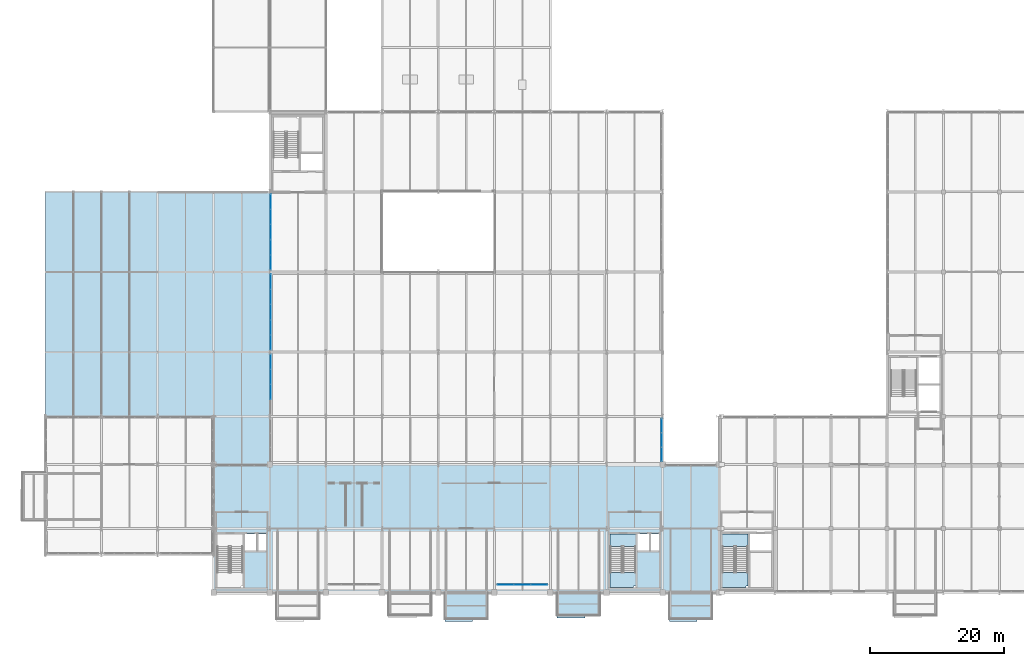
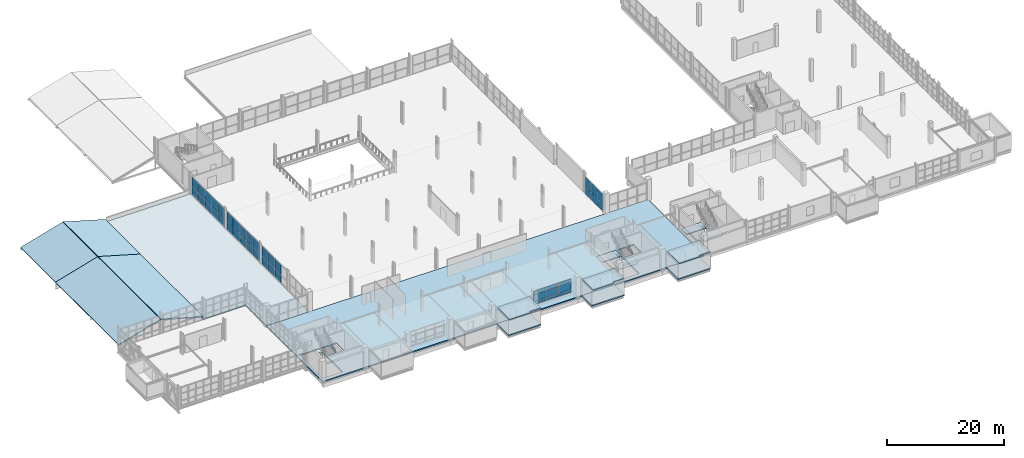
# One storey, part 107 of 130: 41 plates, 16 slabs, 7 elements without a shape of their own.
"""IFC4 building model written with IfcOpenShell, lengths in metres."""

import ifcopenshell
import ifcopenshell.guid

model = None  # the IFC model being written
_history = None  # IfcOwnerHistory: only IFC2X3 demands one
_inside = {}  # id of a spatial element -> (the spatial element, [elements in it])
_under = {}  # id of a project, library or spatial element -> (it, [spatial elements below it])
_declared = {}  # id of a project -> (the project, [libraries it declares])
_typed = {}  # id of a type object -> (the type object, [elements of that type])
_made_of = {}  # id of a material, layer set ... -> (it, [elements and type objects made of it])


def new_model(schema):
    """Start an empty IFC model of exactly this schema.

    Asked for "IFC4X3", IfcOpenShell would pick the latest addendum, in which some entities
    have other attributes; the version numbers below select the first issue.
    IFC2X3 requires an IfcOwnerHistory on every rooted entity: one is made here for all.
    """
    global model, _history
    if schema == "IFC4X3":
        model = ifcopenshell.file(schema_version=(4, 3, 0, 0))
    else:
        model = ifcopenshell.file(schema=schema)
    _inside.clear()
    _under.clear()
    _declared.clear()
    _typed.clear()
    _made_of.clear()
    _history = None
    if model.schema == "IFC2X3":
        org = make("IfcOrganization", Name="unknown")
        user = make(
            "IfcPersonAndOrganization",
            ThePerson=make("IfcPerson", FamilyName="unknown"),
            TheOrganization=org,
        )
        app = make(
            "IfcApplication",
            ApplicationDeveloper=org,
            Version="unknown",
            ApplicationFullName="unknown",
            ApplicationIdentifier="unknown",
        )
        _history = make(
            "IfcOwnerHistory",
            OwningUser=user,
            OwningApplication=app,
            ChangeAction="ADDED",
            CreationDate=0,
        )
    return model


def make(cls, **values):
    """One entity of the class cls with the attributes given. An attribute that is None is left unset."""
    return model.create_entity(
        cls, **{name: value for name, value in values.items() if value is not None}
    )


def rooted(cls, **values):
    """An entity with a GlobalId (a new one), such as an element, a storey or a relation."""
    return make(cls, GlobalId=ifcopenshell.guid.new(), OwnerHistory=_history, **values)


def si_unit(unit_type, name, prefix=None):
    """IfcSIUnit, for example si_unit("LENGTHUNIT", "METRE", prefix="MILLI")."""
    return make("IfcSIUnit", UnitType=unit_type, Prefix=prefix, Name=name)


def assignment(units):
    """IfcUnitAssignment: the units of a project."""
    return None if units is None else make("IfcUnitAssignment", Units=units)


def point(xyz):
    """IfcCartesianPoint."""
    return None if xyz is None else make("IfcCartesianPoint", Coordinates=xyz)


def direction(xyz):
    """IfcDirection."""
    return None if xyz is None else make("IfcDirection", DirectionRatios=xyz)


def frame(location, z_axis=None, x_axis=None):
    """IfcAxis2Placement3D, a coordinate frame: its origin and axes. An axis left out is left unset."""
    return make(
        "IfcAxis2Placement3D",
        Location=point(location),
        Axis=direction(z_axis),
        RefDirection=direction(x_axis),
    )


def frame_2d(location, x_axis=None):
    """IfcAxis2Placement2D, a coordinate frame in the plane: its origin and x axis."""
    return make(
        "IfcAxis2Placement2D", Location=point(location), RefDirection=direction(x_axis)
    )


def origin():
    """The frame at (0, 0, 0) with its axes left unset."""
    return frame((0.0, 0.0, 0.0))


def origin_2d():
    """The frame at (0, 0) in the plane with its x axis left unset."""
    return frame_2d((0.0, 0.0))


def place(relative_to, where):
    """IfcLocalPlacement: puts the frame where relative to a parent placement (None: the world)."""
    return make(
        "IfcLocalPlacement", PlacementRelTo=relative_to, RelativePlacement=where
    )


def context(
    kind, dimensions, precision=None, world=None, true_north=None, identifier=None
):
    """IfcGeometricRepresentationContext, for example the 3D "Model" context."""
    return make(
        "IfcGeometricRepresentationContext",
        ContextIdentifier=identifier,
        ContextType=kind,
        CoordinateSpaceDimension=dimensions,
        Precision=precision,
        WorldCoordinateSystem=world,
        TrueNorth=true_north,
    )


def subcontext(parent, identifier, kind, view, scale=None):
    """IfcGeometricRepresentationSubContext, for example "Body" below "Model"."""
    return make(
        "IfcGeometricRepresentationSubContext",
        ContextIdentifier=identifier,
        ContextType=kind,
        ParentContext=parent,
        TargetScale=scale,
        TargetView=view,
    )


def project(units=None, contexts=None):
    """IfcProject with its units and contexts."""
    return rooted(
        "IfcProject",
        Name="project",
        RepresentationContexts=contexts,
        UnitsInContext=assignment(units),
    )


def spatial(cls, under=None, at=None, **own):
    """A site, building, storey or space (cls), placed at a placement, below another one or the project."""
    s = rooted(cls, ObjectPlacement=at, **own)
    if under is not None:
        _under.setdefault(under.id(), (under, []))[1].append(s)
    return s


def polyline(points):
    """IfcPolyline through the points."""
    return make("IfcPolyline", Points=[point(p) for p in points])


def profile(cls, at=None, kind="AREA", **sizes):
    """A parametric profile (cls). Its sizes go by their IFC names, for example OverallWidth=200.0."""
    return make(cls, ProfileType=kind, Position=at, **sizes)


def rectangle(**sizes):
    """IfcRectangleProfileDef."""
    return profile("IfcRectangleProfileDef", **sizes)


def outline(outer, holes=None, kind="AREA"):
    """IfcArbitraryClosedProfileDef: a profile drawn as a closed curve; with holes, ...WithVoids."""
    if holes is None:
        return make("IfcArbitraryClosedProfileDef", ProfileType=kind, OuterCurve=outer)
    return make(
        "IfcArbitraryProfileDefWithVoids",
        ProfileType=kind,
        OuterCurve=outer,
        InnerCurves=holes,
    )


def extrude(swept, where, along, depth):
    """IfcExtrudedAreaSolid: the profile swept, set in the frame where, extruded along a direction by depth."""
    return make(
        "IfcExtrudedAreaSolid",
        SweptArea=swept,
        Position=where,
        ExtrudedDirection=direction(along),
        Depth=depth,
    )


def shape(context_of_items, identifier, shape_type, items):
    """IfcShapeRepresentation: the items that make up one representation, for example the "Body"."""
    return make(
        "IfcShapeRepresentation",
        ContextOfItems=context_of_items,
        RepresentationIdentifier=identifier,
        RepresentationType=shape_type,
        Items=items,
    )


def material(Name=None, Category=None):
    """IfcMaterial."""
    return make("IfcMaterial", Name=Name, Category=Category)


def layer(
    of_material, thickness, ventilated=None, Name=None, Category=None, Priority=None
):
    """IfcMaterialLayer: one layer of a wall or slab, of a material (None: an air gap)."""
    return make(
        "IfcMaterialLayer",
        Material=of_material,
        LayerThickness=thickness,
        IsVentilated=ventilated,
        Name=Name,
        Category=Category,
        Priority=Priority,
    )


def layer_set(layers, Name=None):
    """IfcMaterialLayerSet."""
    return make("IfcMaterialLayerSet", MaterialLayers=layers, LayerSetName=Name)


def made_of(thing, what):
    """Note that an element or type object is made of a material, layer set ...; save() writes the relation."""
    if what is not None:
        _made_of.setdefault(what.id(), (what, []))[1].append(thing)
    return thing


def type_object(cls, material=None, **own):
    """A type object (cls), such as IfcWallType, which elements share."""
    return made_of(rooted(cls, **own), material)


def element(
    cls,
    number,
    at=None,
    inside=None,
    cuts=None,
    type_object=None,
    material=None,
    context=None,
    identifier="Body",
    shape_type=None,
    held_by="IfcProductDefinitionShape",
    body=None,
    shapes=None,
    **own,
):
    """One element of the class cls, such as IfcWall. Its Tag is "e" and its number.

    at: its placement. inside: the storey or other place that contains it. cuts: it is an
    opening in that element (IfcRelVoidsElement). A single representation is given by context,
    identifier, shape_type and body (its items); several are given by shapes. held_by: the class
    of the entity that holds the representations. save() writes the other relations.
    """
    e = rooted(cls, Tag="e%d" % number, ObjectPlacement=at, **own)
    if body is not None:
        shapes = [shape(context, identifier, shape_type, body)]
    if shapes is not None:
        e.Representation = make(held_by, Representations=shapes)
    if inside is not None:
        _inside.setdefault(inside.id(), (inside, []))[1].append(e)
    if cuts is not None:
        rooted(
            "IfcRelVoidsElement", RelatingBuildingElement=cuts, RelatedOpeningElement=e
        )
    if type_object is not None:
        _typed.setdefault(type_object.id(), (type_object, []))[1].append(e)
    return made_of(e, material)


def aggregate(whole, parts):
    """IfcRelAggregates: a whole, such as a stair, and the parts it consists of."""
    return rooted("IfcRelAggregates", RelatingObject=whole, RelatedObjects=parts)


def save(model, path):
    """Write the relations noted so far, then the file.

    IfcRelAggregates (storeys below a building ...), IfcRelContainedInSpatialStructure (elements
    in a storey), IfcRelDefinesByType, IfcRelAssociatesMaterial and IfcRelDeclares: one each for
    every whole, place, type object, material and project.
    """
    for whole, parts in _under.values():
        aggregate(whole, parts)
    for where, things in _inside.values():
        rooted(
            "IfcRelContainedInSpatialStructure",
            RelatedElements=things,
            RelatingStructure=where,
        )
    for kind, things in _typed.values():
        rooted("IfcRelDefinesByType", RelatedObjects=things, RelatingType=kind)
    for what, things in _made_of.values():
        rooted("IfcRelAssociatesMaterial", RelatedObjects=things, RelatingMaterial=what)
    for by, libraries in _declared.values():
        rooted("IfcRelDeclares", RelatingContext=by, RelatedDefinitions=libraries)
    model.write(path)


model = new_model("IFC4")

# Units and contexts
model_context = context("Model", 3, precision=1e-05, world=origin(), true_north=direction((0.0, 1.0)))
body_context = subcontext(model_context, "Body", "Model", "MODEL_VIEW")
ifc_project = project(units=[si_unit("LENGTHUNIT", "METRE"), si_unit("AREAUNIT", "SQUARE_METRE"), si_unit("VOLUMEUNIT", "CUBIC_METRE"), si_unit("PLANEANGLEUNIT", "RADIAN"), si_unit("MASSUNIT", "GRAM", prefix="KILO")], contexts=[model_context])

# Site, building, storey
site_placement = place(None, origin())
site = spatial("IfcSite", under=ifc_project, at=site_placement, CompositionType="ELEMENT")
building_placement = place(site_placement, origin())
building = spatial("IfcBuilding", under=site, at=building_placement, Name="Veltarok Museum of Natural Sciences", CompositionType="ELEMENT")
storey_placement = place(building_placement, frame((0.0, 0.0, 12.89990234375)))
storey = spatial("IfcBuildingStorey", under=building, at=storey_placement, Name="L02", CompositionType="ELEMENT", Elevation=12.89990234375)

# Slabs
ifc_material_1 = material(Name="Precast concrete C40/50", Category="concrete")
ifc_layer_1 = layer(ifc_material_1, 0.219970703125)
ifc_layer_set_1 = layer_set([ifc_layer_1], Name="Precast concrete C40/50")
slab_type_1 = type_object("IfcSlabType", Name="Auditorium Folded Sloped Roof Deck 220", PredefinedType="ROOF", material=ifc_layer_set_1)
slab_1_placement = place(storey_placement, frame((6.39990234375, 26.39990234375, 0.5), z_axis=(-0.277377134951, 0.0, 0.960761117555), x_axis=(0.960761117555, 0.0, 0.277377134951)))
element("IfcSlab", 1, at=slab_1_placement, inside=storey, type_object=slab_type_1, Name="Auditorium Folded Roof Slab 1", PredefinedType="ROOF", context=body_context, shape_type="SweptSolid", body=[
    extrude(outline(polyline([(0.0, 0.0), (8.689094904767316, 0.0), (8.689094904767316, 21.60009765625), (0.0, 21.60009765625), (0.0, 0.0)])), origin(), (0.0, 0.0, -1.0), 0.219970703125),
])
slab_2_placement = place(storey_placement, frame((14.85205078125, 26.39990234375, 2.91015625), z_axis=(0.277384622899, 0.0, 0.960758955711), x_axis=(0.960758955711, 0.0, -0.277384622899)))
element("IfcSlab", 2, at=slab_2_placement, inside=storey, type_object=slab_type_1, Name="Auditorium Folded Roof Slab 2", PredefinedType="ROOF", context=body_context, shape_type="SweptSolid", body=[
    extrude(outline(polyline([(0.0, 0.0), (8.688860344211495, 0.0), (8.688860344211495, 21.60009765625), (0.0, 21.60009765625), (0.0, 0.0)])), origin(), (0.0, 0.0, -1.0), 0.219970703125),
])
slab_3_placement = place(storey_placement, frame((6.39990234375, 48.0, 0.5), z_axis=(-0.277377134951, 0.0, 0.960761117555), x_axis=(0.960761117555, 0.0, 0.277377134951)))
element("IfcSlab", 3, at=slab_3_placement, inside=storey, type_object=slab_type_1, Name="Auditorium Folded Roof Slab 3", PredefinedType="ROOF", context=body_context, shape_type="SweptSolid", body=[
    extrude(outline(polyline([(0.0, 0.0), (8.689094904767316, 0.0), (8.689094904767316, 12.0), (0.0, 12.0), (0.0, 0.0)])), origin(), (0.0, 0.0, -1.0), 0.219970703125),
])
slab_4_placement = place(storey_placement, frame((14.85205078125, 48.0, 2.91015625), z_axis=(0.277384622899, 0.0, 0.960758955711), x_axis=(0.960758955711, 0.0, -0.277384622899)))
element("IfcSlab", 4, at=slab_4_placement, inside=storey, type_object=slab_type_1, Name="Auditorium Folded Roof Slab 4", PredefinedType="ROOF", context=body_context, shape_type="SweptSolid", body=[
    extrude(outline(polyline([(0.0, 0.0), (8.688860344211495, 0.0), (8.688860344211495, 12.0), (0.0, 12.0), (0.0, 0.0)])), origin(), (0.0, 0.0, -1.0), 0.219970703125),
])
ifc_material_2 = material(Name="Concrete C35/45", Category="concrete")
ifc_layer_2 = layer(ifc_material_2, 0.199951171875)
ifc_layer_set_2 = layer_set([ifc_layer_2], Name="Concrete C35/45")
slab_type_2 = type_object("IfcSlabType", Name="Cantilevered Cabinet Box Roof Slab 200", PredefinedType="ROOF", material=ifc_layer_set_2)
slab_5_placement = place(storey_placement, frame((0.0, 0.0, 3.25)))
element("IfcSlab", 5, at=slab_5_placement, inside=storey, type_object=slab_type_2, Name="Cabinet Box Roof Slab DB-09", PredefinedType="ROOF", context=body_context, shape_type="SweptSolid", body=[
    extrude(outline(polyline([(66.199951171875, -4.280029296875), (70.360107421875, -4.280029296875), (70.360107421875, -3.89990234375), (72.60009765625, -3.89990234375), (72.60009765625, 0.0), (66.199951171875, 0.0), (66.199951171875, -4.280029296875)])), origin(), (0.0, 0.0, 1.0), 0.2001953125),
])
slab_6_placement = place(storey_placement, frame((0.0, 0.0, 3.25)))
element("IfcSlab", 6, at=slab_6_placement, inside=storey, type_object=slab_type_2, Name="Cabinet Box Roof Slab DB-10", PredefinedType="ROOF", context=body_context, shape_type="SweptSolid", body=[
    extrude(outline(polyline([(83.0, -3.780029296875), (87.159912109375, -3.780029296875), (87.159912109375, -3.39990234375), (89.39990234375, -3.39990234375), (89.39990234375, 0.0), (83.0, 0.0), (83.0, -3.780029296875)])), origin(), (0.0, 0.0, 1.0), 0.2001953125),
])
slab_7_placement = place(storey_placement, frame((0.0, 0.0, 3.25)))
element("IfcSlab", 7, at=slab_7_placement, inside=storey, type_object=slab_type_2, Name="Cabinet Box Roof Slab DB-11", PredefinedType="ROOF", context=body_context, shape_type="SweptSolid", body=[
    extrude(outline(polyline([(99.800048828125, -4.280029296875), (103.9599609375, -4.280029296875), (103.9599609375, -3.89990234375), (106.199951171875, -3.89990234375), (106.199951171875, 0.0), (99.800048828125, 0.0), (99.800048828125, -4.280029296875)])), origin(), (0.0, 0.0, 1.0), 0.2001953125),
])
ifc_layer_3 = layer(ifc_material_2, 0.239990234375)
ifc_layer_set_3 = layer_set([ifc_layer_3], Name="Concrete C35/45")
slab_type_3 = type_object("IfcSlabType", Name="Insulated Flat Wing Roof Slab 240", PredefinedType="ROOF", material=ifc_layer_set_3)
slab_8_placement = place(storey_placement, frame((0.0, 0.0, -0.239990234375)))
element("IfcSlab", 8, at=slab_8_placement, inside=storey, type_object=slab_type_3, Name="Flat Wing Roof Slab RF-V6C", PredefinedType="ROOF", context=body_context, shape_type="SweptSolid", body=[
    extrude(outline(polyline([(39.97998046875, 60.0), (39.97998046875, 19.199951171875), (31.6201171875, 19.199951171875), (31.6201171875, 26.419921875), (23.199951171875, 26.419921875), (23.199951171875, 60.0), (39.97998046875, 60.0)])), origin(), (0.0, 0.0, 1.0), 0.239990234375),
])
ifc_layer_4 = layer(ifc_material_2, 0.199951171875)
ifc_layer_set_4 = layer_set([ifc_layer_4], Name="Concrete C35/45")
slab_type_4 = type_object("IfcSlabType", Name="Protected Stair Intermediate Landing Slab 200", PredefinedType="LANDING", material=ifc_layer_set_4)
slab_9_placement = place(storey_placement, frame((0.0, 0.0, -0.199951171875)))
element("IfcSlab", 9, at=slab_9_placement, inside=storey, type_object=slab_type_4, Name="Stairwell Floor Landing ST-02 L02", PredefinedType="LANDING", context=body_context, shape_type="SweptSolid", body=[
    extrude(outline(polyline([(90.909912109375, 6.89990234375), (94.7900390625, 6.89990234375), (94.7900390625, 8.820068359375), (90.909912109375, 8.820068359375), (90.909912109375, 6.89990234375)])), origin(), (0.0, 0.0, 1.0), 0.199951171875),
])

# Stair, slab
stair_type = type_object("IfcStairType", Name="Protected Half-Turn Escape Stair H4500", PredefinedType="HALF_TURN_STAIR", material=ifc_material_1)
stair_1_placement = place(storey_placement, origin())
stair_1 = element("IfcStair", 10, at=stair_1_placement, inside=storey, type_object=stair_type, Name="Protected Escape Stair ST-02-L02", PredefinedType="HALF_TURN_STAIR")
slab_10_placement = place(storey_placement, frame((0.0, 0.0, 2.050048828125)))
slab_10 = element("IfcSlab", 11, at=slab_10_placement, type_object=slab_type_4, Name="ST-02-L02 landing 1", PredefinedType="LANDING", context=body_context, shape_type="SweptSolid", body=[
    extrude(outline(polyline([(90.909912109375, 0.780029296875), (94.469970703125, 0.780029296875), (94.469970703125, 1.02001953125), (94.7900390625, 1.02001953125), (94.7900390625, 3.0), (90.909912109375, 3.0), (90.909912109375, 0.780029296875)])), origin(), (0.0, 0.0, 1.0), 0.199951171875),
])
aggregate(stair_1, [slab_10])

# Slab
slab_11_placement = place(storey_placement, frame((0.0, 0.0, -0.199951171875)))
element("IfcSlab", 12, at=slab_11_placement, inside=storey, type_object=slab_type_4, Name="Stairwell Floor Landing ST-04 L02", PredefinedType="LANDING", context=body_context, shape_type="SweptSolid", body=[
    extrude(outline(polyline([(107.7099609375, 6.89990234375), (111.590087890625, 6.89990234375), (111.590087890625, 8.820068359375), (107.7099609375, 8.820068359375), (107.7099609375, 6.89990234375)])), origin(), (0.0, 0.0, 1.0), 0.199951171875),
])

# Stair, slab
stair_2_placement = place(storey_placement, origin())
stair_2 = element("IfcStair", 13, at=stair_2_placement, inside=storey, type_object=stair_type, Name="Protected Escape Stair ST-04-L02", PredefinedType="HALF_TURN_STAIR")
slab_12_placement = place(storey_placement, frame((0.0, 0.0, 2.050048828125)))
slab_12 = element("IfcSlab", 14, at=slab_12_placement, type_object=slab_type_4, Name="ST-04-L02 landing 1", PredefinedType="LANDING", context=body_context, shape_type="SweptSolid", body=[
    extrude(outline(polyline([(107.7099609375, 0.780029296875), (111.27001953125, 0.780029296875), (111.27001953125, 1.02001953125), (111.590087890625, 1.02001953125), (111.590087890625, 3.0), (107.7099609375, 3.0), (107.7099609375, 0.780029296875)])), origin(), (0.0, 0.0, 1.0), 0.199951171875),
])
aggregate(stair_2, [slab_12])

# Slabs
ifc_layer_5 = layer(ifc_material_2, 0.25)
ifc_layer_set_5 = layer_set([ifc_layer_5], Name="Concrete C35/45")
slab_type_5 = type_object("IfcSlabType", Name="Suspended Museum Floor Slab 250", PredefinedType="FLOOR", material=ifc_layer_set_5)
slab_13_placement = place(storey_placement, frame((0.0, 0.0, -0.25)))
element("IfcSlab", 15, at=slab_13_placement, inside=storey, type_object=slab_type_5, Name="Floor Slab L02 V1", PredefinedType="FLOOR", context=body_context, shape_type="SweptSolid", body=[
    extrude(outline(polyline([(31.60009765625, 0.0), (31.60009765625, 19.199951171875), (107.175048828125, 19.199951171875), (107.175048828125, 0.0), (31.60009765625, 0.0)]), holes=[polyline([(32.1298828125, 8.800048828125), (32.1298828125, 0.800048828125), (35.969970703125, 0.800048828125), (35.969970703125, 8.800048828125), (32.1298828125, 8.800048828125)]), polyline([(94.77001953125, 8.800048828125), (90.929931640625, 8.800048828125), (90.929931640625, 0.800048828125), (94.77001953125, 0.800048828125), (94.77001953125, 8.800048828125)]), polyline([(37.989990234375, 8.800048828125), (36.27001953125, 8.800048828125), (36.27001953125, 6.300048828125), (37.989990234375, 6.300048828125), (37.989990234375, 8.800048828125)]), polyline([(39.469970703125, 8.800048828125), (38.239990234375, 8.800048828125), (38.239990234375, 6.300048828125), (39.469970703125, 6.300048828125), (39.469970703125, 8.800048828125)]), polyline([(96.7900390625, 8.800048828125), (95.070068359375, 8.800048828125), (95.070068359375, 6.300048828125), (96.7900390625, 6.300048828125), (96.7900390625, 8.800048828125)]), polyline([(98.27001953125, 8.800048828125), (97.0400390625, 8.800048828125), (97.0400390625, 6.300048828125), (98.27001953125, 6.300048828125), (98.27001953125, 8.800048828125)])]), origin(), (0.0, 0.0, 1.0), 0.25),
])
slab_14_placement = place(storey_placement, frame((0.0, 0.0, -0.25)))
element("IfcSlab", 16, at=slab_14_placement, inside=storey, type_object=slab_type_5, Name="Cabinet Box Floor Slab DB-09", PredefinedType="FLOOR", context=body_context, shape_type="SweptSolid", body=[
    extrude(outline(polyline([(66.199951171875, -3.89990234375), (72.60009765625, -3.89990234375), (72.60009765625, 0.0), (66.199951171875, 0.0), (66.199951171875, -3.89990234375)])), origin(), (0.0, 0.0, 1.0), 0.25),
])
slab_15_placement = place(storey_placement, frame((0.0, 0.0, -0.25)))
element("IfcSlab", 17, at=slab_15_placement, inside=storey, type_object=slab_type_5, Name="Cabinet Box Floor Slab DB-10", PredefinedType="FLOOR", context=body_context, shape_type="SweptSolid", body=[
    extrude(outline(polyline([(83.0, -3.39990234375), (89.39990234375, -3.39990234375), (89.39990234375, 0.0), (83.0, 0.0), (83.0, -3.39990234375)])), origin(), (0.0, 0.0, 1.0), 0.25),
])
slab_16_placement = place(storey_placement, frame((0.0, 0.0, -0.25)))
element("IfcSlab", 18, at=slab_16_placement, inside=storey, type_object=slab_type_5, Name="Cabinet Box Floor Slab DB-11", PredefinedType="FLOOR", context=body_context, shape_type="SweptSolid", body=[
    extrude(outline(polyline([(99.800048828125, -3.89990234375), (106.199951171875, -3.89990234375), (106.199951171875, 0.0), (99.800048828125, 0.0), (99.800048828125, -3.89990234375)])), origin(), (0.0, 0.0, 1.0), 0.25),
])

# Curtain wall, plates
ifc_material_3 = material(Name="Low-iron triple insulated glass", Category="glass")
curtain_wall_type_1 = type_object("IfcCurtainWallType", Name="Curtain Wall System CW-CAB-L02-B-755x293 (V1 Recessed L02 755x293cm)", PredefinedType="NOTDEFINED", material=ifc_material_3)
curtain_wall_1_placement = place(storey_placement, origin())
curtain_wall_1 = element("IfcCurtainWall", 19, at=curtain_wall_1_placement, inside=storey, type_object=curtain_wall_type_1, Name="Curtain Wall CW-CAB-L02-B-755x293 CW-0004", PredefinedType="NOTDEFINED")
ifc_layer_6 = layer(ifc_material_3, 0.028076171875)
ifc_layer_set_6 = layer_set([ifc_layer_6], Name="Low-iron triple insulated glass")
plate_type = type_object("IfcPlateType", Name="Triple Low-Iron Glazed Vision Panel 28", PredefinedType="CURTAIN_PANEL", material=ifc_layer_set_6)
plate_1_placement = place(storey_placement, frame((75.29833984375, 1.199951171875, 0.4599609375), z_axis=(0.0, 0.0, 1.0), x_axis=(1.0, 0.0, 0.0)))
plate_1 = element("IfcPlate", 20, at=plate_1_placement, type_object=plate_type, Name="CW-CAB-L02-B-755x293 panel 1.1", PredefinedType="CURTAIN_PANEL", context=body_context, shape_type="SweptSolid", body=[
    extrude(rectangle(XDim=2.4267578125, YDim=0.028076171875, at=origin_2d()), origin(), (0.0, 0.0, 1.0), 0.610107421875),
])
plate_2_placement = place(storey_placement, frame((75.29833984375, 1.199951171875, 1.130126953125), z_axis=(0.0, 0.0, 1.0), x_axis=(1.0, 0.0, 0.0)))
plate_2 = element("IfcPlate", 21, at=plate_2_placement, type_object=plate_type, Name="CW-CAB-L02-B-755x293 panel 1.2", PredefinedType="CURTAIN_PANEL", context=body_context, shape_type="SweptSolid", body=[
    extrude(rectangle(XDim=2.4267578125, YDim=0.028076171875, at=origin_2d()), origin(), (0.0, 0.0, 1.0), 1.2900390625),
])
plate_3_placement = place(storey_placement, frame((75.29833984375, 1.199951171875, 2.480224609375), z_axis=(0.0, 0.0, 1.0), x_axis=(1.0, 0.0, 0.0)))
plate_3 = element("IfcPlate", 22, at=plate_3_placement, type_object=plate_type, Name="CW-CAB-L02-B-755x293 panel 1.3", PredefinedType="CURTAIN_PANEL", context=body_context, shape_type="SweptSolid", body=[
    extrude(rectangle(XDim=2.4267578125, YDim=0.028076171875, at=origin_2d()), origin(), (0.0, 0.0, 1.0), 0.794921875),
])
plate_4_placement = place(storey_placement, frame((77.800048828125, 1.199951171875, 0.4599609375), z_axis=(0.0, 0.0, 1.0), x_axis=(1.0, 0.0, 0.0)))
plate_4 = element("IfcPlate", 23, at=plate_4_placement, type_object=plate_type, Name="CW-CAB-L02-B-755x293 panel 2.1", PredefinedType="CURTAIN_PANEL", context=body_context, shape_type="SweptSolid", body=[
    extrude(rectangle(XDim=2.456787109375, YDim=0.028076171875, at=origin_2d()), origin(), (0.0, 0.0, 1.0), 0.610107421875),
])
plate_5_placement = place(storey_placement, frame((77.800048828125, 1.199951171875, 1.130126953125), z_axis=(0.0, 0.0, 1.0), x_axis=(1.0, 0.0, 0.0)))
plate_5 = element("IfcPlate", 24, at=plate_5_placement, type_object=plate_type, Name="CW-CAB-L02-B-755x293 panel 2.2", PredefinedType="CURTAIN_PANEL", context=body_context, shape_type="SweptSolid", body=[
    extrude(rectangle(XDim=2.456787109375, YDim=0.028076171875, at=origin_2d()), origin(), (0.0, 0.0, 1.0), 1.2900390625),
])
plate_6_placement = place(storey_placement, frame((77.800048828125, 1.199951171875, 2.480224609375), z_axis=(0.0, 0.0, 1.0), x_axis=(1.0, 0.0, 0.0)))
plate_6 = element("IfcPlate", 25, at=plate_6_placement, type_object=plate_type, Name="CW-CAB-L02-B-755x293 panel 2.3", PredefinedType="CURTAIN_PANEL", context=body_context, shape_type="SweptSolid", body=[
    extrude(rectangle(XDim=2.456787109375, YDim=0.028076171875, at=origin_2d()), origin(), (0.0, 0.0, 1.0), 0.794921875),
])
plate_7_placement = place(storey_placement, frame((80.3017578125, 1.199951171875, 0.4599609375), z_axis=(0.0, 0.0, 1.0), x_axis=(1.0, 0.0, 0.0)))
plate_7 = element("IfcPlate", 26, at=plate_7_placement, type_object=plate_type, Name="CW-CAB-L02-B-755x293 panel 3.1", PredefinedType="CURTAIN_PANEL", context=body_context, shape_type="SweptSolid", body=[
    extrude(rectangle(XDim=2.4267578125, YDim=0.028076171875, at=origin_2d()), origin(), (0.0, 0.0, 1.0), 0.610107421875),
])
plate_8_placement = place(storey_placement, frame((80.3017578125, 1.199951171875, 1.130126953125), z_axis=(0.0, 0.0, 1.0), x_axis=(1.0, 0.0, 0.0)))
plate_8 = element("IfcPlate", 27, at=plate_8_placement, type_object=plate_type, Name="CW-CAB-L02-B-755x293 panel 3.2", PredefinedType="CURTAIN_PANEL", context=body_context, shape_type="SweptSolid", body=[
    extrude(rectangle(XDim=2.4267578125, YDim=0.028076171875, at=origin_2d()), origin(), (0.0, 0.0, 1.0), 1.2900390625),
])
plate_9_placement = place(storey_placement, frame((80.3017578125, 1.199951171875, 2.480224609375), z_axis=(0.0, 0.0, 1.0), x_axis=(1.0, 0.0, 0.0)))
plate_9 = element("IfcPlate", 28, at=plate_9_placement, type_object=plate_type, Name="CW-CAB-L02-B-755x293 panel 3.3", PredefinedType="CURTAIN_PANEL", context=body_context, shape_type="SweptSolid", body=[
    extrude(rectangle(XDim=2.4267578125, YDim=0.028076171875, at=origin_2d()), origin(), (0.0, 0.0, 1.0), 0.794921875),
])
aggregate(curtain_wall_1, [plate_1, plate_2, plate_3, plate_4, plate_5, plate_6, plate_7, plate_8, plate_9])

curtain_wall_type_2 = type_object("IfcCurtainWallType", Name="Curtain Wall System CW-V2E-L02-3-645x373 (CW-V2E L02 645x373cm)", PredefinedType="NOTDEFINED", material=ifc_material_3)
curtain_wall_2_placement = place(storey_placement, origin())
curtain_wall_2 = element("IfcCurtainWall", 29, at=curtain_wall_2_placement, inside=storey, type_object=curtain_wall_type_2, Name="Curtain Wall CW-V2E-L02-3-645x373 CW-0131", PredefinedType="NOTDEFINED")
plate_10_placement = place(storey_placement, frame((98.64990234375, 20.739990234375, 0.05810546875), z_axis=(0.0, 0.0, 1.0), x_axis=(0.0, 1.0, 0.0)))
plate_10 = element("IfcPlate", 30, at=plate_10_placement, type_object=plate_type, Name="CW-V2E-L02-3-645x373 panel 1.1", PredefinedType="CURTAIN_PANEL", context=body_context, shape_type="SweptSolid", body=[
    extrude(rectangle(XDim=2.06005859375, YDim=0.028076171875, at=origin_2d()), origin(), (0.0, 0.0, 1.0), 1.56005859375),
])
plate_11_placement = place(storey_placement, frame((98.64990234375, 20.739990234375, 1.67822265625), z_axis=(0.0, 0.0, 1.0), x_axis=(0.0, 1.0, 0.0)))
plate_11 = element("IfcPlate", 31, at=plate_11_placement, type_object=plate_type, Name="CW-V2E-L02-3-645x373 panel 1.2", PredefinedType="CURTAIN_PANEL", context=body_context, shape_type="SweptSolid", body=[
    extrude(rectangle(XDim=2.06005859375, YDim=0.028076171875, at=origin_2d()), origin(), (0.0, 0.0, 1.0), 1.991943359375),
])
plate_12_placement = place(storey_placement, frame((98.64990234375, 22.875, 0.05810546875), z_axis=(0.0, 0.0, 1.0), x_axis=(0.0, 1.0, 0.0)))
plate_12 = element("IfcPlate", 32, at=plate_12_placement, type_object=plate_type, Name="CW-V2E-L02-3-645x373 panel 2.1", PredefinedType="CURTAIN_PANEL", context=body_context, shape_type="SweptSolid", body=[
    extrude(rectangle(XDim=2.090087890625, YDim=0.028076171875, at=origin_2d()), origin(), (0.0, 0.0, 1.0), 1.56005859375),
])
plate_13_placement = place(storey_placement, frame((98.64990234375, 22.875, 1.67822265625), z_axis=(0.0, 0.0, 1.0), x_axis=(0.0, 1.0, 0.0)))
plate_13 = element("IfcPlate", 33, at=plate_13_placement, type_object=plate_type, Name="CW-V2E-L02-3-645x373 panel 2.2", PredefinedType="CURTAIN_PANEL", context=body_context, shape_type="SweptSolid", body=[
    extrude(rectangle(XDim=2.090087890625, YDim=0.028076171875, at=origin_2d()), origin(), (0.0, 0.0, 1.0), 1.991943359375),
])
plate_14_placement = place(storey_placement, frame((98.64990234375, 25.010009765625, 0.05810546875), z_axis=(0.0, 0.0, 1.0), x_axis=(0.0, 1.0, 0.0)))
plate_14 = element("IfcPlate", 34, at=plate_14_placement, type_object=plate_type, Name="CW-V2E-L02-3-645x373 panel 3.1", PredefinedType="CURTAIN_PANEL", context=body_context, shape_type="SweptSolid", body=[
    extrude(rectangle(XDim=2.06005859375, YDim=0.028076171875, at=origin_2d()), origin(), (0.0, 0.0, 1.0), 1.56005859375),
])
plate_15_placement = place(storey_placement, frame((98.64990234375, 25.010009765625, 1.67822265625), z_axis=(0.0, 0.0, 1.0), x_axis=(0.0, 1.0, 0.0)))
plate_15 = element("IfcPlate", 35, at=plate_15_placement, type_object=plate_type, Name="CW-V2E-L02-3-645x373 panel 3.2", PredefinedType="CURTAIN_PANEL", context=body_context, shape_type="SweptSolid", body=[
    extrude(rectangle(XDim=2.06005859375, YDim=0.028076171875, at=origin_2d()), origin(), (0.0, 0.0, 1.0), 1.991943359375),
])
aggregate(curtain_wall_2, [plate_10, plate_11, plate_12, plate_13, plate_14, plate_15])

curtain_wall_type_3 = type_object("IfcCurtainWallType", Name="Curtain Wall System CW-V2W-L02-0-900x388 (CW-V2W L02 900x388cm)", PredefinedType="NOTDEFINED", material=ifc_material_3)
curtain_wall_3_placement = place(storey_placement, origin())
curtain_wall_3 = element("IfcCurtainWall", 36, at=curtain_wall_3_placement, inside=storey, type_object=curtain_wall_type_3, Name="Curtain Wall CW-V2W-L02-0-900x388 CW-0140", PredefinedType="NOTDEFINED")
plate_16_placement = place(storey_placement, frame((40.14990234375, 30.074951171875, 0.05810546875), z_axis=(0.0, 0.0, 1.0), x_axis=(0.0, 1.0, 0.0)))
plate_16 = element("IfcPlate", 37, at=plate_16_placement, type_object=plate_type, Name="CW-V2W-L02-0-900x388 panel 2.1", PredefinedType="CURTAIN_PANEL", context=body_context, shape_type="SweptSolid", body=[
    extrude(rectangle(XDim=2.18994140625, YDim=0.028076171875, at=origin_2d()), origin(), (0.0, 0.0, 1.0), 1.56005859375),
])
plate_17_placement = place(storey_placement, frame((40.14990234375, 30.074951171875, 1.677978515625), z_axis=(0.0, 0.0, 1.0), x_axis=(0.0, 1.0, 0.0)))
plate_17 = element("IfcPlate", 38, at=plate_17_placement, type_object=plate_type, Name="CW-V2W-L02-0-900x388 panel 2.2", PredefinedType="CURTAIN_PANEL", context=body_context, shape_type="SweptSolid", body=[
    extrude(rectangle(XDim=2.18994140625, YDim=0.028076171875, at=origin_2d()), origin(), (0.0, 0.0, 1.0), 2.14208984375),
])
plate_18_placement = place(storey_placement, frame((40.14990234375, 32.324951171875, 0.05810546875), z_axis=(0.0, 0.0, 1.0), x_axis=(0.0, 1.0, 0.0)))
plate_18 = element("IfcPlate", 39, at=plate_18_placement, type_object=plate_type, Name="CW-V2W-L02-0-900x388 panel 3.1", PredefinedType="CURTAIN_PANEL", context=body_context, shape_type="SweptSolid", body=[
    extrude(rectangle(XDim=2.18994140625, YDim=0.028076171875, at=origin_2d()), origin(), (0.0, 0.0, 1.0), 1.56005859375),
])
plate_19_placement = place(storey_placement, frame((40.14990234375, 32.324951171875, 1.677978515625), z_axis=(0.0, 0.0, 1.0), x_axis=(0.0, 1.0, 0.0)))
plate_19 = element("IfcPlate", 40, at=plate_19_placement, type_object=plate_type, Name="CW-V2W-L02-0-900x388 panel 3.2", PredefinedType="CURTAIN_PANEL", context=body_context, shape_type="SweptSolid", body=[
    extrude(rectangle(XDim=2.18994140625, YDim=0.028076171875, at=origin_2d()), origin(), (0.0, 0.0, 1.0), 2.14208984375),
])
plate_20_placement = place(storey_placement, frame((40.14990234375, 34.56005859375, 0.05810546875), z_axis=(0.0, 0.0, 1.0), x_axis=(0.0, 1.0, 0.0)))
plate_20 = element("IfcPlate", 41, at=plate_20_placement, type_object=plate_type, Name="CW-V2W-L02-0-900x388 panel 4.1", PredefinedType="CURTAIN_PANEL", context=body_context, shape_type="SweptSolid", body=[
    extrude(rectangle(XDim=2.159912109375, YDim=0.028076171875, at=origin_2d()), origin(), (0.0, 0.0, 1.0), 1.56005859375),
])
plate_21_placement = place(storey_placement, frame((40.14990234375, 34.56005859375, 1.677978515625), z_axis=(0.0, 0.0, 1.0), x_axis=(0.0, 1.0, 0.0)))
plate_21 = element("IfcPlate", 42, at=plate_21_placement, type_object=plate_type, Name="CW-V2W-L02-0-900x388 panel 4.2", PredefinedType="CURTAIN_PANEL", context=body_context, shape_type="SweptSolid", body=[
    extrude(rectangle(XDim=2.159912109375, YDim=0.028076171875, at=origin_2d()), origin(), (0.0, 0.0, 1.0), 2.14208984375),
])
aggregate(curtain_wall_3, [plate_16, plate_17, plate_18, plate_19, plate_20, plate_21])

curtain_wall_type_4 = type_object("IfcCurtainWallType", Name="Curtain Wall System CW-V2W-L02-1-1140x383 (CW-V2W L02 1140x383cm)", PredefinedType="NOTDEFINED", material=ifc_material_3)
curtain_wall_4_placement = place(storey_placement, origin())
curtain_wall_4 = element("IfcCurtainWall", 43, at=curtain_wall_4_placement, inside=storey, type_object=curtain_wall_type_4, Name="Curtain Wall CW-V2W-L02-1-1140x383 CW-0141", PredefinedType="NOTDEFINED")
plate_22_placement = place(storey_placement, frame((40.14990234375, 37.455078125, 0.05810546875), z_axis=(0.0, 0.0, 1.0), x_axis=(0.0, 1.0, 0.0)))
plate_22 = element("IfcPlate", 44, at=plate_22_placement, type_object=plate_type, Name="CW-V2W-L02-1-1140x383 panel 1.1", PredefinedType="CURTAIN_PANEL", context=body_context, shape_type="SweptSolid", body=[
    extrude(rectangle(XDim=2.18994140625, YDim=0.028076171875, at=origin_2d()), origin(), (0.0, 0.0, 1.0), 1.56005859375),
])
plate_23_placement = place(storey_placement, frame((40.14990234375, 37.455078125, 1.67822265625), z_axis=(0.0, 0.0, 1.0), x_axis=(0.0, 1.0, 0.0)))
plate_23 = element("IfcPlate", 45, at=plate_23_placement, type_object=plate_type, Name="CW-V2W-L02-1-1140x383 panel 1.2", PredefinedType="CURTAIN_PANEL", context=body_context, shape_type="SweptSolid", body=[
    extrude(rectangle(XDim=2.18994140625, YDim=0.028076171875, at=origin_2d()), origin(), (0.0, 0.0, 1.0), 2.092041015625),
])
plate_24_placement = place(storey_placement, frame((40.14990234375, 39.719970703125, 0.05810546875), z_axis=(0.0, 0.0, 1.0), x_axis=(0.0, 1.0, 0.0)))
plate_24 = element("IfcPlate", 46, at=plate_24_placement, type_object=plate_type, Name="CW-V2W-L02-1-1140x383 panel 2.1", PredefinedType="CURTAIN_PANEL", context=body_context, shape_type="SweptSolid", body=[
    extrude(rectangle(XDim=2.219970703125, YDim=0.028076171875, at=origin_2d()), origin(), (0.0, 0.0, 1.0), 1.56005859375),
])
plate_25_placement = place(storey_placement, frame((40.14990234375, 39.719970703125, 1.67822265625), z_axis=(0.0, 0.0, 1.0), x_axis=(0.0, 1.0, 0.0)))
plate_25 = element("IfcPlate", 47, at=plate_25_placement, type_object=plate_type, Name="CW-V2W-L02-1-1140x383 panel 2.2", PredefinedType="CURTAIN_PANEL", context=body_context, shape_type="SweptSolid", body=[
    extrude(rectangle(XDim=2.219970703125, YDim=0.028076171875, at=origin_2d()), origin(), (0.0, 0.0, 1.0), 2.092041015625),
])
plate_26_placement = place(storey_placement, frame((40.14990234375, 42.0, 0.05810546875), z_axis=(0.0, 0.0, 1.0), x_axis=(0.0, 1.0, 0.0)))
plate_26 = element("IfcPlate", 48, at=plate_26_placement, type_object=plate_type, Name="CW-V2W-L02-1-1140x383 panel 3.1", PredefinedType="CURTAIN_PANEL", context=body_context, shape_type="SweptSolid", body=[
    extrude(rectangle(XDim=2.219970703125, YDim=0.028076171875, at=origin_2d()), origin(), (0.0, 0.0, 1.0), 1.56005859375),
])
plate_27_placement = place(storey_placement, frame((40.14990234375, 42.0, 1.67822265625), z_axis=(0.0, 0.0, 1.0), x_axis=(0.0, 1.0, 0.0)))
plate_27 = element("IfcPlate", 49, at=plate_27_placement, type_object=plate_type, Name="CW-V2W-L02-1-1140x383 panel 3.2", PredefinedType="CURTAIN_PANEL", context=body_context, shape_type="SweptSolid", body=[
    extrude(rectangle(XDim=2.219970703125, YDim=0.028076171875, at=origin_2d()), origin(), (0.0, 0.0, 1.0), 2.092041015625),
])
plate_28_placement = place(storey_placement, frame((40.14990234375, 44.280029296875, 0.05810546875), z_axis=(0.0, 0.0, 1.0), x_axis=(0.0, 1.0, 0.0)))
plate_28 = element("IfcPlate", 50, at=plate_28_placement, type_object=plate_type, Name="CW-V2W-L02-1-1140x383 panel 4.1", PredefinedType="CURTAIN_PANEL", context=body_context, shape_type="SweptSolid", body=[
    extrude(rectangle(XDim=2.219970703125, YDim=0.028076171875, at=origin_2d()), origin(), (0.0, 0.0, 1.0), 1.56005859375),
])
plate_29_placement = place(storey_placement, frame((40.14990234375, 44.280029296875, 1.67822265625), z_axis=(0.0, 0.0, 1.0), x_axis=(0.0, 1.0, 0.0)))
plate_29 = element("IfcPlate", 51, at=plate_29_placement, type_object=plate_type, Name="CW-V2W-L02-1-1140x383 panel 4.2", PredefinedType="CURTAIN_PANEL", context=body_context, shape_type="SweptSolid", body=[
    extrude(rectangle(XDim=2.219970703125, YDim=0.028076171875, at=origin_2d()), origin(), (0.0, 0.0, 1.0), 2.092041015625),
])
plate_30_placement = place(storey_placement, frame((40.14990234375, 46.544921875, 0.05810546875), z_axis=(0.0, 0.0, 1.0), x_axis=(0.0, 1.0, 0.0)))
plate_30 = element("IfcPlate", 52, at=plate_30_placement, type_object=plate_type, Name="CW-V2W-L02-1-1140x383 panel 5.1", PredefinedType="CURTAIN_PANEL", context=body_context, shape_type="SweptSolid", body=[
    extrude(rectangle(XDim=2.18994140625, YDim=0.028076171875, at=origin_2d()), origin(), (0.0, 0.0, 1.0), 1.56005859375),
])
plate_31_placement = place(storey_placement, frame((40.14990234375, 46.544921875, 1.67822265625), z_axis=(0.0, 0.0, 1.0), x_axis=(0.0, 1.0, 0.0)))
plate_31 = element("IfcPlate", 53, at=plate_31_placement, type_object=plate_type, Name="CW-V2W-L02-1-1140x383 panel 5.2", PredefinedType="CURTAIN_PANEL", context=body_context, shape_type="SweptSolid", body=[
    extrude(rectangle(XDim=2.18994140625, YDim=0.028076171875, at=origin_2d()), origin(), (0.0, 0.0, 1.0), 2.092041015625),
])
aggregate(curtain_wall_4, [plate_22, plate_23, plate_24, plate_25, plate_26, plate_27, plate_28, plate_29, plate_30, plate_31])

curtain_wall_type_5 = type_object("IfcCurtainWallType", Name="Curtain Wall System CW-V2W-L02-2-1140x378 (CW-V2W L02 1140x378cm)", PredefinedType="NOTDEFINED", material=ifc_material_3)
curtain_wall_5_placement = place(storey_placement, origin())
curtain_wall_5 = element("IfcCurtainWall", 54, at=curtain_wall_5_placement, inside=storey, type_object=curtain_wall_type_5, Name="Curtain Wall CW-V2W-L02-2-1140x378 CW-0142", PredefinedType="NOTDEFINED")
plate_32_placement = place(storey_placement, frame((40.14990234375, 49.455078125, 0.05810546875), z_axis=(0.0, 0.0, 1.0), x_axis=(0.0, 1.0, 0.0)))
plate_32 = element("IfcPlate", 55, at=plate_32_placement, type_object=plate_type, Name="CW-V2W-L02-2-1140x378 panel 1.1", PredefinedType="CURTAIN_PANEL", context=body_context, shape_type="SweptSolid", body=[
    extrude(rectangle(XDim=2.18994140625, YDim=0.028076171875, at=origin_2d()), origin(), (0.0, 0.0, 1.0), 1.56005859375),
])
plate_33_placement = place(storey_placement, frame((40.14990234375, 49.455078125, 1.67822265625), z_axis=(0.0, 0.0, 1.0), x_axis=(0.0, 1.0, 0.0)))
plate_33 = element("IfcPlate", 56, at=plate_33_placement, type_object=plate_type, Name="CW-V2W-L02-2-1140x378 panel 1.2", PredefinedType="CURTAIN_PANEL", context=body_context, shape_type="SweptSolid", body=[
    extrude(rectangle(XDim=2.18994140625, YDim=0.028076171875, at=origin_2d()), origin(), (0.0, 0.0, 1.0), 2.0419921875),
])
plate_34_placement = place(storey_placement, frame((40.14990234375, 51.719970703125, 0.05810546875), z_axis=(0.0, 0.0, 1.0), x_axis=(0.0, 1.0, 0.0)))
plate_34 = element("IfcPlate", 57, at=plate_34_placement, type_object=plate_type, Name="CW-V2W-L02-2-1140x378 panel 2.1", PredefinedType="CURTAIN_PANEL", context=body_context, shape_type="SweptSolid", body=[
    extrude(rectangle(XDim=2.219970703125, YDim=0.028076171875, at=origin_2d()), origin(), (0.0, 0.0, 1.0), 1.56005859375),
])
plate_35_placement = place(storey_placement, frame((40.14990234375, 51.719970703125, 1.67822265625), z_axis=(0.0, 0.0, 1.0), x_axis=(0.0, 1.0, 0.0)))
plate_35 = element("IfcPlate", 58, at=plate_35_placement, type_object=plate_type, Name="CW-V2W-L02-2-1140x378 panel 2.2", PredefinedType="CURTAIN_PANEL", context=body_context, shape_type="SweptSolid", body=[
    extrude(rectangle(XDim=2.219970703125, YDim=0.028076171875, at=origin_2d()), origin(), (0.0, 0.0, 1.0), 2.0419921875),
])
plate_36_placement = place(storey_placement, frame((40.14990234375, 54.0, 0.05810546875), z_axis=(0.0, 0.0, 1.0), x_axis=(0.0, 1.0, 0.0)))
plate_36 = element("IfcPlate", 59, at=plate_36_placement, type_object=plate_type, Name="CW-V2W-L02-2-1140x378 panel 3.1", PredefinedType="CURTAIN_PANEL", context=body_context, shape_type="SweptSolid", body=[
    extrude(rectangle(XDim=2.219970703125, YDim=0.028076171875, at=origin_2d()), origin(), (0.0, 0.0, 1.0), 1.56005859375),
])
plate_37_placement = place(storey_placement, frame((40.14990234375, 54.0, 1.67822265625), z_axis=(0.0, 0.0, 1.0), x_axis=(0.0, 1.0, 0.0)))
plate_37 = element("IfcPlate", 60, at=plate_37_placement, type_object=plate_type, Name="CW-V2W-L02-2-1140x378 panel 3.2", PredefinedType="CURTAIN_PANEL", context=body_context, shape_type="SweptSolid", body=[
    extrude(rectangle(XDim=2.219970703125, YDim=0.028076171875, at=origin_2d()), origin(), (0.0, 0.0, 1.0), 2.0419921875),
])
plate_38_placement = place(storey_placement, frame((40.14990234375, 56.280029296875, 0.05810546875), z_axis=(0.0, 0.0, 1.0), x_axis=(0.0, 1.0, 0.0)))
plate_38 = element("IfcPlate", 61, at=plate_38_placement, type_object=plate_type, Name="CW-V2W-L02-2-1140x378 panel 4.1", PredefinedType="CURTAIN_PANEL", context=body_context, shape_type="SweptSolid", body=[
    extrude(rectangle(XDim=2.219970703125, YDim=0.028076171875, at=origin_2d()), origin(), (0.0, 0.0, 1.0), 1.56005859375),
])
plate_39_placement = place(storey_placement, frame((40.14990234375, 56.280029296875, 1.67822265625), z_axis=(0.0, 0.0, 1.0), x_axis=(0.0, 1.0, 0.0)))
plate_39 = element("IfcPlate", 62, at=plate_39_placement, type_object=plate_type, Name="CW-V2W-L02-2-1140x378 panel 4.2", PredefinedType="CURTAIN_PANEL", context=body_context, shape_type="SweptSolid", body=[
    extrude(rectangle(XDim=2.219970703125, YDim=0.028076171875, at=origin_2d()), origin(), (0.0, 0.0, 1.0), 2.0419921875),
])
plate_40_placement = place(storey_placement, frame((40.14990234375, 58.544921875, 0.05810546875), z_axis=(0.0, 0.0, 1.0), x_axis=(0.0, 1.0, 0.0)))
plate_40 = element("IfcPlate", 63, at=plate_40_placement, type_object=plate_type, Name="CW-V2W-L02-2-1140x378 panel 5.1", PredefinedType="CURTAIN_PANEL", context=body_context, shape_type="SweptSolid", body=[
    extrude(rectangle(XDim=2.18994140625, YDim=0.028076171875, at=origin_2d()), origin(), (0.0, 0.0, 1.0), 1.56005859375),
])
plate_41_placement = place(storey_placement, frame((40.14990234375, 58.544921875, 1.67822265625), z_axis=(0.0, 0.0, 1.0), x_axis=(0.0, 1.0, 0.0)))
plate_41 = element("IfcPlate", 64, at=plate_41_placement, type_object=plate_type, Name="CW-V2W-L02-2-1140x378 panel 5.2", PredefinedType="CURTAIN_PANEL", context=body_context, shape_type="SweptSolid", body=[
    extrude(rectangle(XDim=2.18994140625, YDim=0.028076171875, at=origin_2d()), origin(), (0.0, 0.0, 1.0), 2.0419921875),
])
aggregate(curtain_wall_5, [plate_32, plate_33, plate_34, plate_35, plate_36, plate_37, plate_38, plate_39, plate_40, plate_41])

save(model, "model.ifc")
